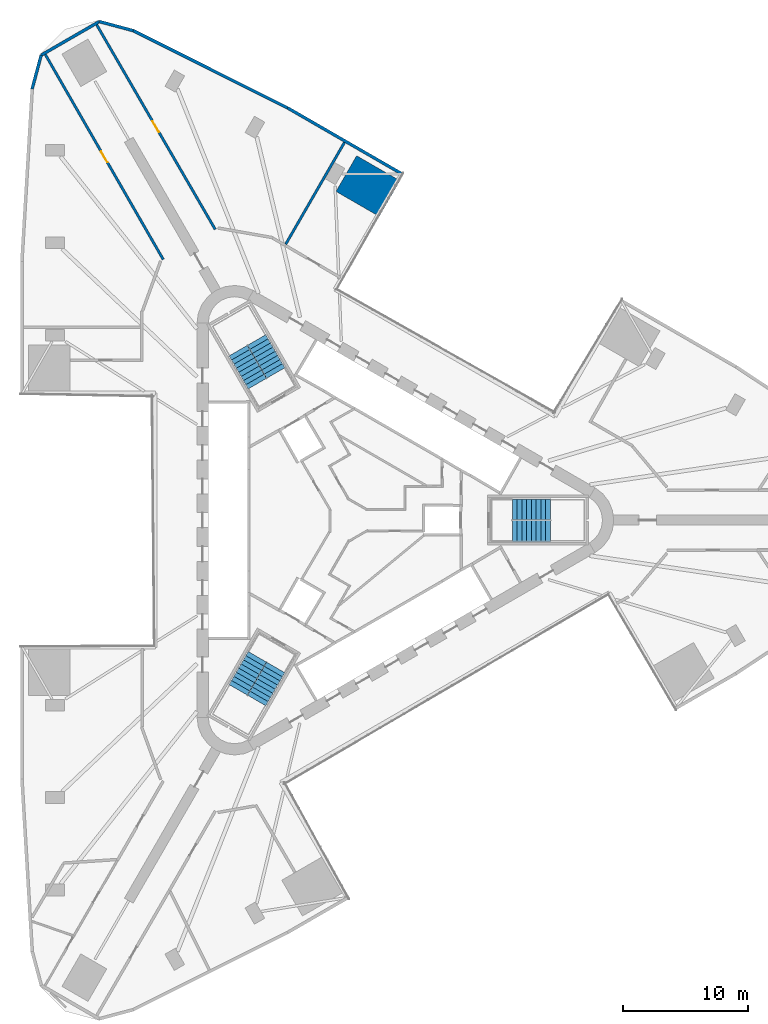
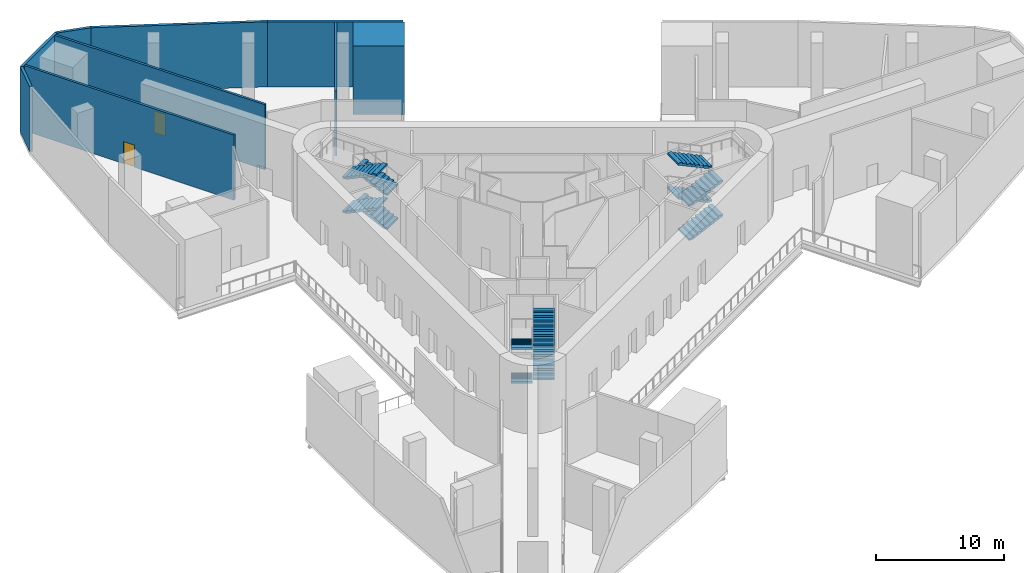
# One storey, part 8 of 11: 12 stair flights, 9 walls, 2 doors, 2 openings, 3 elements without a shape of their own.
"""IFC4 building model written with IfcOpenShell, lengths in metres."""

from ifc_helpers import new_model, si_unit, direction, frame, frame_2d, origin, place, context, subcontext, project, spatial, polyline, rectangle, outline, extrude, material, layer, layer_set, type_object, element, fill, aggregate, save


model = new_model("IFC4")

# Units and contexts
model_context = context("Model", 3, precision=1e-05, world=origin(), true_north=direction((0.0, 1.0)))
body_context = subcontext(model_context, "Body", "Model", "MODEL_VIEW")
ifc_project = project(units=[si_unit("LENGTHUNIT", "METRE"), si_unit("AREAUNIT", "SQUARE_METRE"), si_unit("VOLUMEUNIT", "CUBIC_METRE"), si_unit("PLANEANGLEUNIT", "RADIAN"), si_unit("MASSUNIT", "GRAM", prefix="KILO")], contexts=[model_context])

# Site, building, storey
site_placement = place(None, origin())
site = spatial("IfcSite", under=ifc_project, at=site_placement, CompositionType="ELEMENT")
building_placement = place(site_placement, origin())
building = spatial("IfcBuilding", under=site, at=building_placement, Name="Tanit Gate Tower", CompositionType="ELEMENT")
storey_placement = place(building_placement, frame((0.0, 0.0, 9.0)))
storey = spatial("IfcBuildingStorey", under=building, at=storey_placement, Name="L01", CompositionType="ELEMENT", Elevation=9.0)

# Walls
ifc_material_1 = material(Name="Concrete C30/37 with bronze anodised aluminium cladding", Category="concrete")
ifc_layer_1 = layer(ifc_material_1, 0.239990234375)
ifc_layer_set_1 = layer_set([ifc_layer_1], Name="Facade wall bronze clad 240")
wall_type_1 = type_object("IfcWallType", Name="Facade wall bronze clad 240", PredefinedType="SOLIDWALL", material=ifc_layer_set_1)
wall_1_placement = place(storey_placement, frame((4.2900390625, 27.669677734375, 0.0), z_axis=(0.0, 0.0, 1.0), x_axis=(-0.866062075984, 0.499936476508, 0.0)))
element("IfcWall", 1, at=wall_1_placement, inside=storey, type_object=wall_type_1, Name="Bronze-clad facade wall L01 NE2b", PredefinedType="SOLIDWALL", context=body_context, shape_type="SweptSolid", body=[
    extrude(rectangle(XDim=10.565673828125, YDim=0.239990234375, at=frame_2d((5.28271484375, 0.0))), origin(), (0.0, 0.0, 1.0), 6.199951171875),
])
wall_2_placement = place(storey_placement, frame((-4.860595703125, 32.951904296875, 0.0), z_axis=(0.0, 0.0, 1.0), x_axis=(-0.894285628533, 0.447496608478, 0.0)))
element("IfcWall", 2, at=wall_2_placement, inside=storey, type_object=wall_type_1, Name="Bronze-clad facade wall L01 NE3", PredefinedType="SOLIDWALL", context=body_context, shape_type="SweptSolid", body=[
    extrude(rectangle(XDim=13.80126953125, YDim=0.239990234375, at=frame_2d((6.900634765625, 0.0))), origin(), (0.0, 0.0, 1.0), 6.199951171875),
])
wall_3_placement = place(storey_placement, frame((-17.202880859375, 39.1279296875, 0.0), z_axis=(0.0, 0.0, 1.0), x_axis=(-0.965923146675, 0.25882904535, 0.0)))
element("IfcWall", 3, at=wall_3_placement, inside=storey, type_object=wall_type_1, Name="Bronze-clad facade wall L01 NW.arc1", PredefinedType="SOLIDWALL", context=body_context, shape_type="SweptSolid", body=[
    extrude(rectangle(XDim=2.800537109375, YDim=0.239990234375, at=frame_2d((1.400390625, 0.0))), origin(), (0.0, 0.0, 1.0), 6.199951171875),
])
wall_4_placement = place(storey_placement, frame((-19.907958984375, 39.852783203125, 0.0), z_axis=(0.0, 0.0, 1.0), x_axis=(-0.866010734295, -0.500025407441, 0.0)))
element("IfcWall", 4, at=wall_4_placement, inside=storey, type_object=wall_type_1, Name="Bronze-clad facade wall L01 NW.arc2", PredefinedType="SOLIDWALL", context=body_context, shape_type="SweptSolid", body=[
    extrude(rectangle(XDim=5.371337890625, YDim=0.239990234375, at=frame_2d((2.685546875, 0.0))), origin(), (0.0, 0.0, 1.0), 6.199951171875),
])
wall_5_placement = place(storey_placement, frame((-24.5595703125, 37.1669921875, 0.0), z_axis=(0.0, 0.0, 1.0), x_axis=(-0.258850842196, -0.965917305723, 0.0)))
element("IfcWall", 5, at=wall_5_placement, inside=storey, type_object=wall_type_1, Name="Bronze-clad facade wall L01 NW.arc3", PredefinedType="SOLIDWALL", context=body_context, shape_type="SweptSolid", body=[
    extrude(rectangle(XDim=2.80029296875, YDim=0.239990234375, at=frame_2d((1.400146484375, 0.0))), origin(), (0.0, 0.0, 1.0), 6.199951171875),
])

# Wall, opening, door
ifc_material_2 = material(Name="Fire-rated gypsum board partition")
ifc_layer_2 = layer(ifc_material_2, 0.199951171875)
ifc_layer_set_2 = layer_set([ifc_layer_2], Name="INT-WALL-COMPARTMENT")
wall_type_2 = type_object("IfcWallType", Name="INT-WALL-COMPARTMENT", PredefinedType="PARTITIONING", material=ifc_layer_set_2)
wall_6_placement = place(storey_placement, frame((-14.802490234375, 20.83837890625, 0.0), z_axis=(0.0, 0.0, 1.0), x_axis=(-0.498674250094, 0.866789474032, 0.0)))
wall_6 = element("IfcWall", 6, at=wall_6_placement, inside=storey, type_object=wall_type_2, Name="Wall Compartment W093", PredefinedType="PARTITIONING", context=body_context, shape_type="SweptSolid", body=[
    extrude(rectangle(XDim=18.899658203125, YDim=0.199951171875, at=frame_2d((9.44970703125, 0.0))), origin(), (0.0, 0.0, 1.0), 6.199951171875),
])
opening_1_placement = place(wall_6_placement, frame((8.958740234375, 0.0, 0.0)))
opening_1 = element("IfcOpeningElement", 7, at=opening_1_placement, cuts=wall_6, Name="Opening F10-01-16", PredefinedType="OPENING", context=body_context, shape_type="SweptSolid", body=[
    extrude(rectangle(XDim=1.0, YDim=2.10009765625, at=frame_2d((0.5, 1.050048828125))), frame((0.0, 0.10986328125, 0.0), z_axis=(0.0, -1.0, 0.0), x_axis=(1.0, 0.0, 0.0)), (0.0, 0.0, 1.0), 0.219970703125),
])
ifc_material_3 = material(Name="Fire-rated steel door leaf", Category="steel")
door_type = type_object("IfcDoorType", Name="INT-DOOR-FIRE-1000", OperationType="NOTDEFINED", PredefinedType="USERDEFINED", material=ifc_material_3)
door_1_placement = place(opening_1_placement, origin())
door_1 = element("IfcDoor", 8, at=door_1_placement, inside=storey, type_object=door_type, Name="Door F10-01-16", ObjectType="FIRE DOOR", OperationType="SINGLE_SWING_LEFT", OverallHeight=2.10009765625, OverallWidth=1.0, PredefinedType="USERDEFINED", context=body_context, shape_type="SweptSolid", body=[
    extrude(rectangle(XDim=1.0, YDim=2.10009765625, at=frame_2d((0.5, 1.050048828125))), frame((0.0, 0.02490234375, 0.0), z_axis=(0.0, -1.0, 0.0), x_axis=(1.0, 0.0, 0.0)), (0.0, 0.0, 1.0), 0.050048828125),
])
fill(opening_1, door_1)

wall_7_placement = place(storey_placement, frame((-20.1201171875, 39.591552734375, 0.0), z_axis=(0.0, 0.0, 1.0), x_axis=(0.501316309942, -0.865264096901, 0.0)))
wall_7 = element("IfcWall", 9, at=wall_7_placement, inside=storey, type_object=wall_type_2, Name="Wall Compartment W112", PredefinedType="PARTITIONING", context=body_context, shape_type="SweptSolid", body=[
    extrude(rectangle(XDim=18.8994140625, YDim=0.199951171875, at=frame_2d((9.44970703125, 0.0))), origin(), (0.0, 0.0, 1.0), 6.199951171875),
])
opening_2_placement = place(wall_7_placement, frame((8.9013671875, 0.0, 0.0)))
opening_2 = element("IfcOpeningElement", 10, at=opening_2_placement, cuts=wall_7, Name="Opening F10-01-24", PredefinedType="OPENING", context=body_context, shape_type="SweptSolid", body=[
    extrude(rectangle(XDim=1.0, YDim=2.10009765625, at=frame_2d((0.5, 1.050048828125))), frame((0.0, 0.10986328125, 0.0), z_axis=(0.0, -1.0, 0.0), x_axis=(1.0, 0.0, 0.0)), (0.0, 0.0, 1.0), 0.219970703125),
])
door_2_placement = place(opening_2_placement, origin())
door_2 = element("IfcDoor", 11, at=door_2_placement, inside=storey, type_object=door_type, Name="Door F10-01-24", ObjectType="FIRE DOOR", OperationType="SINGLE_SWING_RIGHT", OverallHeight=2.10009765625, OverallWidth=1.0, PredefinedType="USERDEFINED", context=body_context, shape_type="SweptSolid", body=[
    extrude(rectangle(XDim=1.0, YDim=2.10009765625, at=frame_2d((0.5, 1.050048828125))), frame((0.0, 0.02490234375, 0.0), z_axis=(0.0, -1.0, 0.0), x_axis=(1.0, 0.0, 0.0)), (0.0, 0.0, 1.0), 0.050048828125),
])
fill(opening_2, door_2)

# Walls
wall_8_placement = place(storey_placement, frame((-5.01220703125, 22.061767578125, 0.0), z_axis=(0.0, 0.0, 1.0), x_axis=(0.499922928987, 0.866069896182, 0.0)))
element("IfcWall", 12, at=wall_8_placement, inside=storey, type_object=wall_type_2, Name="Wall Compartment W116", PredefinedType="PARTITIONING", context=body_context, shape_type="SweptSolid", body=[
    extrude(rectangle(XDim=9.38232421875, YDim=0.199951171875, at=frame_2d((4.691162109375, 0.0))), origin(), (0.0, 0.0, 1.0), 6.199951171875),
])
ifc_material_4 = material(Name="Concrete C60/75", Category="concrete")
ifc_layer_3 = layer(ifc_material_4, 4.0)
ifc_layer_set_3 = layer_set([ifc_layer_3], Name="PIER WALL 4000 C60/75")
wall_type_3 = type_object("IfcWallType", Name="PIER WALL 4000 C60/75", PredefinedType="SHEAR", material=ifc_layer_set_3)
wall_9_placement = place(storey_placement, origin())
element("IfcWall", 13, at=wall_9_placement, inside=storey, type_object=wall_type_3, Name="PIER WALL", PredefinedType="SHEAR", context=body_context, shape_type="SweptSolid", body=[
    extrude(outline(polyline([(4.116455078125, 27.1298828125), (0.65234375, 29.1298828125), (-0.99755859375, 26.27197265625), (2.466552734375, 24.27197265625), (4.116455078125, 27.1298828125)])), origin(), (0.0, 0.0, 1.0), 6.5),
])

# Stair, stair flights
ifc_material_5 = material(Name="Concrete C40/50", Category="concrete")
stair_type = type_object("IfcStairType", Name="INT-STAIR-EXIT", PredefinedType="HALF_TURN_STAIR", material=ifc_material_5)
stair_1_placement = place(storey_placement, origin())
stair_1 = element("IfcStair", 14, at=stair_1_placement, inside=storey, type_object=stair_type, Name="L01 STAIR S1", PredefinedType="HALF_TURN_STAIR")
ifc_material_6 = material(Name="Concrete C40/50", Category="concrete")
stair_flight_type = type_object("IfcStairFlightType", Name="INT-STAIR-FLIGHT", PredefinedType="STRAIGHT", material=ifc_material_6)
stair_flight_1_placement = place(storey_placement, frame((13.094970703125, -0.8525390625, 0.0), z_axis=(0.0, 0.0, 1.0), x_axis=(1.0, 0.0, 0.0)))
stair_flight_1 = element("IfcStairFlight", 15, at=stair_flight_1_placement, type_object=stair_flight_type, Name="S1 flight 1", NumberOfRisers=9, NumberOfTreads=8, PredefinedType="STRAIGHT", RiserHeight=0.180555556, TreadLength=0.381375, context=body_context, shape_type="SweptSolid", body=[
    extrude(outline(polyline([(0.0, 0.0), (0.0, 0.1806640625), (0.38134765625, 0.1806640625), (0.38134765625, 0.361083984375), (0.7626953125, 0.361083984375), (0.7626953125, 0.541748046875), (1.14404296875, 0.541748046875), (1.14404296875, 0.72216796875), (1.525390625, 0.72216796875), (1.525390625, 0.90283203125), (1.906982421875, 0.90283203125), (1.906982421875, 1.083251953125), (2.288330078125, 1.083251953125), (2.288330078125, 1.263916015625), (2.669677734375, 1.263916015625), (2.669677734375, 1.4443359375), (3.051025390625, 1.4443359375), (3.051025390625, 1.625), (3.051025390625, 1.278564453125), (0.350341796875, 0.0), (0.0, 0.0)])), frame((0.0, 0.84765625, 0.0), z_axis=(0.0, -1.0, 0.0), x_axis=(1.0, 0.0, 0.0)), (0.0, 0.0, 1.0), 1.695068359375),
])
stair_flight_2_placement = place(storey_placement, frame((16.14599609375, 0.8525390625, 1.625), z_axis=(0.0, 0.0, 1.0), x_axis=(-1.0, 0.0, 0.0)))
stair_flight_2 = element("IfcStairFlight", 16, at=stair_flight_2_placement, type_object=stair_flight_type, Name="S1 flight 2", NumberOfRisers=9, NumberOfTreads=8, PredefinedType="STRAIGHT", RiserHeight=0.180555556, TreadLength=0.381375, context=body_context, shape_type="SweptSolid", body=[
    extrude(outline(polyline([(0.0, 0.0), (0.0, 0.1806640625), (0.38134765625, 0.1806640625), (0.38134765625, 0.361083984375), (0.7626953125, 0.361083984375), (0.7626953125, 0.541748046875), (1.14404296875, 0.541748046875), (1.14404296875, 0.72216796875), (1.525390625, 0.72216796875), (1.525390625, 0.90283203125), (1.906982421875, 0.90283203125), (1.906982421875, 1.083251953125), (2.288330078125, 1.083251953125), (2.288330078125, 1.263916015625), (2.669677734375, 1.263916015625), (2.669677734375, 1.4443359375), (3.051025390625, 1.4443359375), (3.051025390625, 1.625), (3.051025390625, 1.278564453125), (0.350341796875, 0.0), (0.0, 0.0)])), frame((0.0, 0.84765625, 0.0), z_axis=(0.0, -1.0, 0.0), x_axis=(1.0, 0.0, 0.0)), (0.0, 0.0, 1.0), 1.695068359375),
])
stair_flight_3_placement = place(storey_placement, frame((13.094970703125, -0.8525390625, 3.25), z_axis=(0.0, 0.0, 1.0), x_axis=(1.0, 0.0, 0.0)))
stair_flight_3 = element("IfcStairFlight", 17, at=stair_flight_3_placement, type_object=stair_flight_type, Name="S1 flight 3", NumberOfRisers=9, NumberOfTreads=8, PredefinedType="STRAIGHT", RiserHeight=0.180555556, TreadLength=0.381375, context=body_context, shape_type="SweptSolid", body=[
    extrude(outline(polyline([(0.0, 0.0), (0.0, 0.1806640625), (0.38134765625, 0.1806640625), (0.38134765625, 0.361083984375), (0.7626953125, 0.361083984375), (0.7626953125, 0.541748046875), (1.14404296875, 0.541748046875), (1.14404296875, 0.72216796875), (1.525390625, 0.72216796875), (1.525390625, 0.90283203125), (1.906982421875, 0.90283203125), (1.906982421875, 1.083251953125), (2.288330078125, 1.083251953125), (2.288330078125, 1.263916015625), (2.669677734375, 1.263916015625), (2.669677734375, 1.4443359375), (3.051025390625, 1.4443359375), (3.051025390625, 1.625), (3.051025390625, 1.278564453125), (0.350341796875, 0.0), (0.0, 0.0)])), frame((0.0, 0.84765625, 0.0), z_axis=(0.0, -1.0, 0.0), x_axis=(1.0, 0.0, 0.0)), (0.0, 0.0, 1.0), 1.695068359375),
])
stair_flight_4_placement = place(storey_placement, frame((16.14599609375, 0.8525390625, 4.875), z_axis=(0.0, 0.0, 1.0), x_axis=(-1.0, 0.0, 0.0)))
stair_flight_4 = element("IfcStairFlight", 18, at=stair_flight_4_placement, type_object=stair_flight_type, Name="S1 flight 4", NumberOfRisers=9, NumberOfTreads=8, PredefinedType="STRAIGHT", RiserHeight=0.180555556, TreadLength=0.381375, context=body_context, shape_type="SweptSolid", body=[
    extrude(outline(polyline([(0.0, 0.0), (0.0, 0.1806640625), (0.38134765625, 0.1806640625), (0.38134765625, 0.361083984375), (0.7626953125, 0.361083984375), (0.7626953125, 0.541748046875), (1.14404296875, 0.541748046875), (1.14404296875, 0.72216796875), (1.525390625, 0.72216796875), (1.525390625, 0.90283203125), (1.906982421875, 0.90283203125), (1.906982421875, 1.083251953125), (2.288330078125, 1.083251953125), (2.288330078125, 1.263916015625), (2.669677734375, 1.263916015625), (2.669677734375, 1.4443359375), (3.051025390625, 1.4443359375), (3.051025390625, 1.625), (3.051025390625, 1.278564453125), (0.350341796875, 0.0), (0.0, 0.0)])), frame((0.0, 0.84765625, 0.0), z_axis=(0.0, -1.0, 0.0), x_axis=(1.0, 0.0, 0.0)), (0.0, 0.0, 1.0), 1.695068359375),
])
aggregate(stair_1, [stair_flight_1, stair_flight_2, stair_flight_3, stair_flight_4])

stair_2_placement = place(storey_placement, origin())
stair_2 = element("IfcStair", 19, at=stair_2_placement, inside=storey, type_object=stair_type, Name="L01 STAIR S2", PredefinedType="HALF_TURN_STAIR")
stair_flight_5_placement = place(storey_placement, frame((-5.808349609375, 11.766357421875, 0.0), z_axis=(0.0, 0.0, 1.0), x_axis=(-0.5, 0.866025403784, 0.0)))
stair_flight_5 = element("IfcStairFlight", 20, at=stair_flight_5_placement, type_object=stair_flight_type, Name="S2 flight 1", NumberOfRisers=9, NumberOfTreads=8, PredefinedType="STRAIGHT", RiserHeight=0.180555556, TreadLength=0.38115, context=body_context, shape_type="SweptSolid", body=[
    extrude(outline(polyline([(0.0, 0.0), (0.0, 0.1806640625), (0.381103515625, 0.1806640625), (0.381103515625, 0.361083984375), (0.76220703125, 0.361083984375), (0.76220703125, 0.541748046875), (1.1435546875, 0.541748046875), (1.1435546875, 0.72216796875), (1.524658203125, 0.72216796875), (1.524658203125, 0.90283203125), (1.90576171875, 0.90283203125), (1.90576171875, 1.083251953125), (2.286865234375, 1.083251953125), (2.286865234375, 1.263916015625), (2.66796875, 1.263916015625), (2.66796875, 1.4443359375), (3.04931640625, 1.4443359375), (3.04931640625, 1.625), (3.04931640625, 1.278564453125), (0.35009765625, 0.0), (0.0, 0.0)])), frame((0.0, 0.84716796875, 0.0), z_axis=(0.0, -1.0, 0.0), x_axis=(1.0, 0.0, 0.0)), (0.0, 0.0, 1.0), 1.694091796875),
])
stair_flight_6_placement = place(storey_placement, frame((-8.810302734375, 13.553955078125, 1.625), z_axis=(0.0, 0.0, 1.0), x_axis=(0.5, -0.866025403784, 0.0)))
stair_flight_6 = element("IfcStairFlight", 21, at=stair_flight_6_placement, type_object=stair_flight_type, Name="S2 flight 2", NumberOfRisers=9, NumberOfTreads=8, PredefinedType="STRAIGHT", RiserHeight=0.180555556, TreadLength=0.38115, context=body_context, shape_type="SweptSolid", body=[
    extrude(outline(polyline([(0.0, 0.0), (0.0, 0.1806640625), (0.381103515625, 0.1806640625), (0.381103515625, 0.361083984375), (0.76220703125, 0.361083984375), (0.76220703125, 0.541748046875), (1.1435546875, 0.541748046875), (1.1435546875, 0.72216796875), (1.524658203125, 0.72216796875), (1.524658203125, 0.90283203125), (1.90576171875, 0.90283203125), (1.90576171875, 1.083251953125), (2.286865234375, 1.083251953125), (2.286865234375, 1.263916015625), (2.66796875, 1.263916015625), (2.66796875, 1.4443359375), (3.04931640625, 1.4443359375), (3.04931640625, 1.625), (3.04931640625, 1.278564453125), (0.35009765625, 0.0), (0.0, 0.0)])), frame((0.0, 0.84716796875, 0.0), z_axis=(0.0, -1.0, 0.0), x_axis=(1.0, 0.0, 0.0)), (0.0, 0.0, 1.0), 1.694091796875),
])
stair_flight_7_placement = place(storey_placement, frame((-5.808349609375, 11.766357421875, 3.25), z_axis=(0.0, 0.0, 1.0), x_axis=(-0.5, 0.866025403784, 0.0)))
stair_flight_7 = element("IfcStairFlight", 22, at=stair_flight_7_placement, type_object=stair_flight_type, Name="S2 flight 3", NumberOfRisers=9, NumberOfTreads=8, PredefinedType="STRAIGHT", RiserHeight=0.180555556, TreadLength=0.38115, context=body_context, shape_type="SweptSolid", body=[
    extrude(outline(polyline([(0.0, 0.0), (0.0, 0.1806640625), (0.381103515625, 0.1806640625), (0.381103515625, 0.361083984375), (0.76220703125, 0.361083984375), (0.76220703125, 0.541748046875), (1.1435546875, 0.541748046875), (1.1435546875, 0.72216796875), (1.524658203125, 0.72216796875), (1.524658203125, 0.90283203125), (1.90576171875, 0.90283203125), (1.90576171875, 1.083251953125), (2.286865234375, 1.083251953125), (2.286865234375, 1.263916015625), (2.66796875, 1.263916015625), (2.66796875, 1.4443359375), (3.04931640625, 1.4443359375), (3.04931640625, 1.625), (3.04931640625, 1.278564453125), (0.35009765625, 0.0), (0.0, 0.0)])), frame((0.0, 0.84716796875, 0.0), z_axis=(0.0, -1.0, 0.0), x_axis=(1.0, 0.0, 0.0)), (0.0, 0.0, 1.0), 1.694091796875),
])
stair_flight_8_placement = place(storey_placement, frame((-8.810302734375, 13.553955078125, 4.875), z_axis=(0.0, 0.0, 1.0), x_axis=(0.5, -0.866025403784, 0.0)))
stair_flight_8 = element("IfcStairFlight", 23, at=stair_flight_8_placement, type_object=stair_flight_type, Name="S2 flight 4", NumberOfRisers=9, NumberOfTreads=8, PredefinedType="STRAIGHT", RiserHeight=0.180555556, TreadLength=0.38115, context=body_context, shape_type="SweptSolid", body=[
    extrude(outline(polyline([(0.0, 0.0), (0.0, 0.1806640625), (0.381103515625, 0.1806640625), (0.381103515625, 0.361083984375), (0.76220703125, 0.361083984375), (0.76220703125, 0.541748046875), (1.1435546875, 0.541748046875), (1.1435546875, 0.72216796875), (1.524658203125, 0.72216796875), (1.524658203125, 0.90283203125), (1.90576171875, 0.90283203125), (1.90576171875, 1.083251953125), (2.286865234375, 1.083251953125), (2.286865234375, 1.263916015625), (2.66796875, 1.263916015625), (2.66796875, 1.4443359375), (3.04931640625, 1.4443359375), (3.04931640625, 1.625), (3.04931640625, 1.278564453125), (0.35009765625, 0.0), (0.0, 0.0)])), frame((0.0, 0.84716796875, 0.0), z_axis=(0.0, -1.0, 0.0), x_axis=(1.0, 0.0, 0.0)), (0.0, 0.0, 1.0), 1.694091796875),
])
aggregate(stair_2, [stair_flight_5, stair_flight_6, stair_flight_7, stair_flight_8])

stair_3_placement = place(storey_placement, origin())
stair_3 = element("IfcStair", 24, at=stair_3_placement, inside=storey, type_object=stair_type, Name="L01 STAIR S3", PredefinedType="HALF_TURN_STAIR")
stair_flight_9_placement = place(storey_placement, frame((-7.285888671875, -10.914306640625, 0.0), z_axis=(0.0, 0.0, 1.0), x_axis=(-0.5, -0.866025403784, 0.0)))
stair_flight_9 = element("IfcStairFlight", 25, at=stair_flight_9_placement, type_object=stair_flight_type, Name="S3 flight 1", NumberOfRisers=9, NumberOfTreads=8, PredefinedType="STRAIGHT", RiserHeight=0.180555556, TreadLength=0.381375, context=body_context, shape_type="SweptSolid", body=[
    extrude(outline(polyline([(0.0, 0.0), (0.0, 0.1806640625), (0.38134765625, 0.1806640625), (0.38134765625, 0.361083984375), (0.7626953125, 0.361083984375), (0.7626953125, 0.541748046875), (1.14404296875, 0.541748046875), (1.14404296875, 0.72216796875), (1.525390625, 0.72216796875), (1.525390625, 0.90283203125), (1.906982421875, 0.90283203125), (1.906982421875, 1.083251953125), (2.288330078125, 1.083251953125), (2.288330078125, 1.263916015625), (2.669677734375, 1.263916015625), (2.669677734375, 1.4443359375), (3.051025390625, 1.4443359375), (3.051025390625, 1.625), (3.051025390625, 1.278564453125), (0.350341796875, 0.0), (0.0, 0.0)])), frame((0.0, 0.84765625, 0.0), z_axis=(0.0, -1.0, 0.0), x_axis=(1.0, 0.0, 0.0)), (0.0, 0.0, 1.0), 1.695068359375),
])
stair_flight_10_placement = place(storey_placement, frame((-7.334716796875, -14.4091796875, 1.625), z_axis=(0.0, 0.0, 1.0), x_axis=(0.5, 0.866025403784, 0.0)))
stair_flight_10 = element("IfcStairFlight", 26, at=stair_flight_10_placement, type_object=stair_flight_type, Name="S3 flight 2", NumberOfRisers=9, NumberOfTreads=8, PredefinedType="STRAIGHT", RiserHeight=0.180555556, TreadLength=0.381375, context=body_context, shape_type="SweptSolid", body=[
    extrude(outline(polyline([(0.0, 0.0), (0.0, 0.1806640625), (0.38134765625, 0.1806640625), (0.38134765625, 0.361083984375), (0.7626953125, 0.361083984375), (0.7626953125, 0.541748046875), (1.14404296875, 0.541748046875), (1.14404296875, 0.72216796875), (1.525390625, 0.72216796875), (1.525390625, 0.90283203125), (1.906982421875, 0.90283203125), (1.906982421875, 1.083251953125), (2.288330078125, 1.083251953125), (2.288330078125, 1.263916015625), (2.669677734375, 1.263916015625), (2.669677734375, 1.4443359375), (3.051025390625, 1.4443359375), (3.051025390625, 1.625), (3.051025390625, 1.278564453125), (0.350341796875, 0.0), (0.0, 0.0)])), frame((0.0, 0.84765625, 0.0), z_axis=(0.0, -1.0, 0.0), x_axis=(1.0, 0.0, 0.0)), (0.0, 0.0, 1.0), 1.695068359375),
])
stair_flight_11_placement = place(storey_placement, frame((-7.285888671875, -10.914306640625, 3.25), z_axis=(0.0, 0.0, 1.0), x_axis=(-0.5, -0.866025403784, 0.0)))
stair_flight_11 = element("IfcStairFlight", 27, at=stair_flight_11_placement, type_object=stair_flight_type, Name="S3 flight 3", NumberOfRisers=9, NumberOfTreads=8, PredefinedType="STRAIGHT", RiserHeight=0.180555556, TreadLength=0.381375, context=body_context, shape_type="SweptSolid", body=[
    extrude(outline(polyline([(0.0, 0.0), (0.0, 0.1806640625), (0.38134765625, 0.1806640625), (0.38134765625, 0.361083984375), (0.7626953125, 0.361083984375), (0.7626953125, 0.541748046875), (1.14404296875, 0.541748046875), (1.14404296875, 0.72216796875), (1.525390625, 0.72216796875), (1.525390625, 0.90283203125), (1.906982421875, 0.90283203125), (1.906982421875, 1.083251953125), (2.288330078125, 1.083251953125), (2.288330078125, 1.263916015625), (2.669677734375, 1.263916015625), (2.669677734375, 1.4443359375), (3.051025390625, 1.4443359375), (3.051025390625, 1.625), (3.051025390625, 1.278564453125), (0.350341796875, 0.0), (0.0, 0.0)])), frame((0.0, 0.84765625, 0.0), z_axis=(0.0, -1.0, 0.0), x_axis=(1.0, 0.0, 0.0)), (0.0, 0.0, 1.0), 1.695068359375),
])
stair_flight_12_placement = place(storey_placement, frame((-7.334716796875, -14.4091796875, 4.875), z_axis=(0.0, 0.0, 1.0), x_axis=(0.5, 0.866025403784, 0.0)))
stair_flight_12 = element("IfcStairFlight", 28, at=stair_flight_12_placement, type_object=stair_flight_type, Name="S3 flight 4", NumberOfRisers=9, NumberOfTreads=8, PredefinedType="STRAIGHT", RiserHeight=0.180555556, TreadLength=0.381375, context=body_context, shape_type="SweptSolid", body=[
    extrude(outline(polyline([(0.0, 0.0), (0.0, 0.1806640625), (0.38134765625, 0.1806640625), (0.38134765625, 0.361083984375), (0.7626953125, 0.361083984375), (0.7626953125, 0.541748046875), (1.14404296875, 0.541748046875), (1.14404296875, 0.72216796875), (1.525390625, 0.72216796875), (1.525390625, 0.90283203125), (1.906982421875, 0.90283203125), (1.906982421875, 1.083251953125), (2.288330078125, 1.083251953125), (2.288330078125, 1.263916015625), (2.669677734375, 1.263916015625), (2.669677734375, 1.4443359375), (3.051025390625, 1.4443359375), (3.051025390625, 1.625), (3.051025390625, 1.278564453125), (0.350341796875, 0.0), (0.0, 0.0)])), frame((0.0, 0.84765625, 0.0), z_axis=(0.0, -1.0, 0.0), x_axis=(1.0, 0.0, 0.0)), (0.0, 0.0, 1.0), 1.695068359375),
])
aggregate(stair_3, [stair_flight_9, stair_flight_10, stair_flight_11, stair_flight_12])

save(model, "model.ifc")
